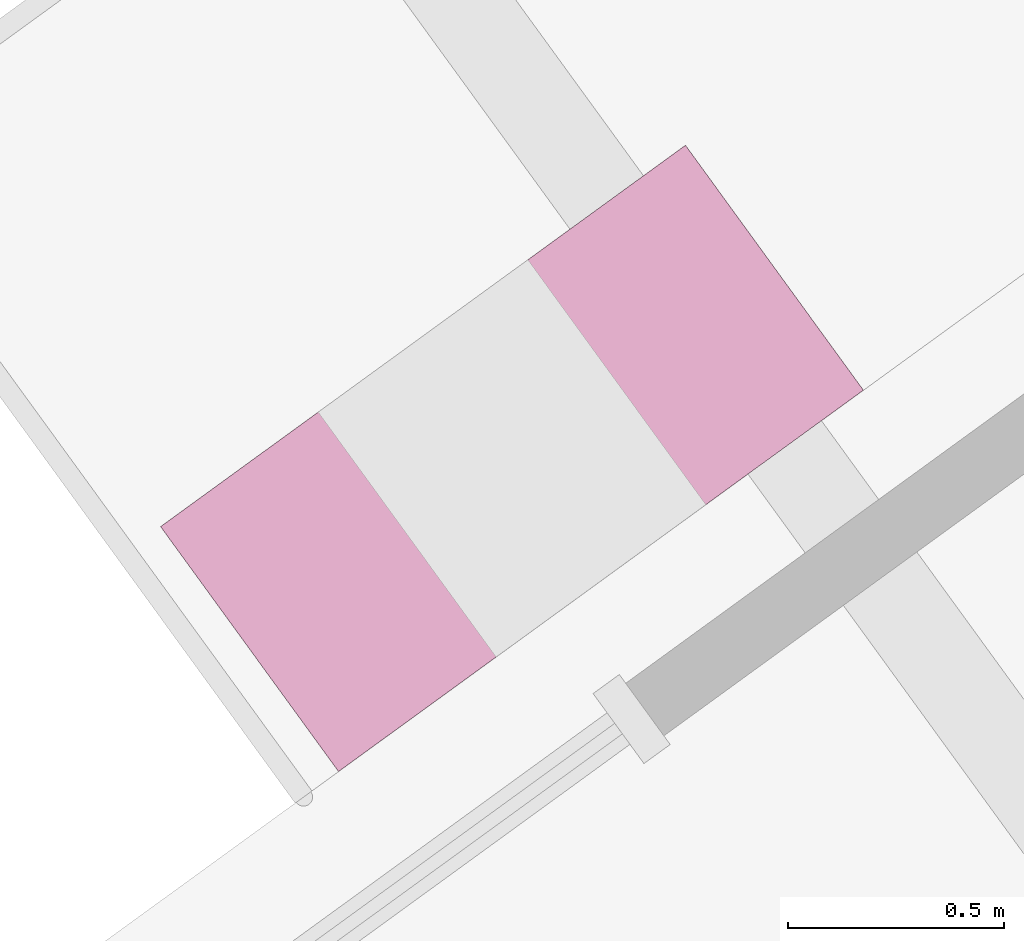
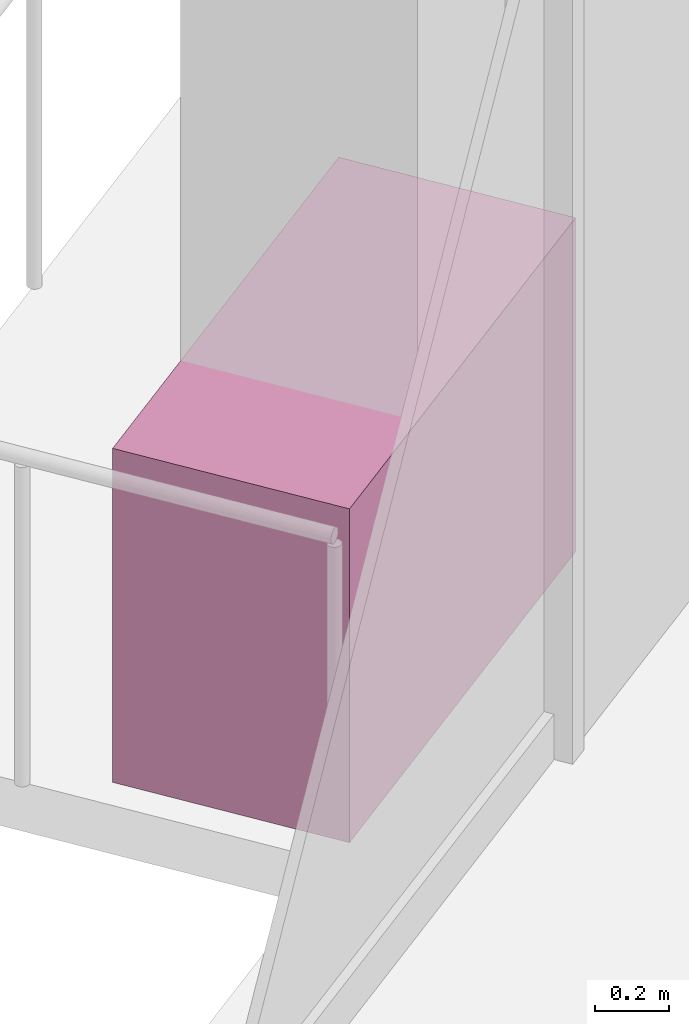
# One storey, part 20 of 21: 1 furniture element.
"""IFC4 building model written with IfcOpenShell, lengths in metres."""

import ifcopenshell
import ifcopenshell.guid

model = None  # the IFC model being written
_history = None  # IfcOwnerHistory: only IFC2X3 demands one
_inside = {}  # id of a spatial element -> (the spatial element, [elements in it])
_under = {}  # id of a project, library or spatial element -> (it, [spatial elements below it])
_declared = {}  # id of a project -> (the project, [libraries it declares])
_typed = {}  # id of a type object -> (the type object, [elements of that type])
_made_of = {}  # id of a material, layer set ... -> (it, [elements and type objects made of it])


def new_model(schema):
    """Start an empty IFC model of exactly this schema.

    Asked for "IFC4X3", IfcOpenShell would pick the latest addendum, in which some entities
    have other attributes; the version numbers below select the first issue.
    IFC2X3 requires an IfcOwnerHistory on every rooted entity: one is made here for all.
    """
    global model, _history
    if schema == "IFC4X3":
        model = ifcopenshell.file(schema_version=(4, 3, 0, 0))
    else:
        model = ifcopenshell.file(schema=schema)
    _inside.clear()
    _under.clear()
    _declared.clear()
    _typed.clear()
    _made_of.clear()
    _history = None
    if model.schema == "IFC2X3":
        org = make("IfcOrganization", Name="unknown")
        user = make(
            "IfcPersonAndOrganization",
            ThePerson=make("IfcPerson", FamilyName="unknown"),
            TheOrganization=org,
        )
        app = make(
            "IfcApplication",
            ApplicationDeveloper=org,
            Version="unknown",
            ApplicationFullName="unknown",
            ApplicationIdentifier="unknown",
        )
        _history = make(
            "IfcOwnerHistory",
            OwningUser=user,
            OwningApplication=app,
            ChangeAction="ADDED",
            CreationDate=0,
        )
    return model


def make(cls, **values):
    """One entity of the class cls with the attributes given. An attribute that is None is left unset."""
    return model.create_entity(
        cls, **{name: value for name, value in values.items() if value is not None}
    )


def rooted(cls, **values):
    """An entity with a GlobalId (a new one), such as an element, a storey or a relation."""
    return make(cls, GlobalId=ifcopenshell.guid.new(), OwnerHistory=_history, **values)


def si_unit(unit_type, name, prefix=None):
    """IfcSIUnit, for example si_unit("LENGTHUNIT", "METRE", prefix="MILLI")."""
    return make("IfcSIUnit", UnitType=unit_type, Prefix=prefix, Name=name)


def assignment(units):
    """IfcUnitAssignment: the units of a project."""
    return None if units is None else make("IfcUnitAssignment", Units=units)


def point(xyz):
    """IfcCartesianPoint."""
    return None if xyz is None else make("IfcCartesianPoint", Coordinates=xyz)


def direction(xyz):
    """IfcDirection."""
    return None if xyz is None else make("IfcDirection", DirectionRatios=xyz)


def frame(location, z_axis=None, x_axis=None):
    """IfcAxis2Placement3D, a coordinate frame: its origin and axes. An axis left out is left unset."""
    return make(
        "IfcAxis2Placement3D",
        Location=point(location),
        Axis=direction(z_axis),
        RefDirection=direction(x_axis),
    )


def frame_2d(location, x_axis=None):
    """IfcAxis2Placement2D, a coordinate frame in the plane: its origin and x axis."""
    return make(
        "IfcAxis2Placement2D", Location=point(location), RefDirection=direction(x_axis)
    )


def origin():
    """The frame at (0, 0, 0) with its axes left unset."""
    return frame((0.0, 0.0, 0.0))


def origin_2d():
    """The frame at (0, 0) in the plane with its x axis left unset."""
    return frame_2d((0.0, 0.0))


def place(relative_to, where):
    """IfcLocalPlacement: puts the frame where relative to a parent placement (None: the world)."""
    return make(
        "IfcLocalPlacement", PlacementRelTo=relative_to, RelativePlacement=where
    )


def context(
    kind, dimensions, precision=None, world=None, true_north=None, identifier=None
):
    """IfcGeometricRepresentationContext, for example the 3D "Model" context."""
    return make(
        "IfcGeometricRepresentationContext",
        ContextIdentifier=identifier,
        ContextType=kind,
        CoordinateSpaceDimension=dimensions,
        Precision=precision,
        WorldCoordinateSystem=world,
        TrueNorth=true_north,
    )


def subcontext(parent, identifier, kind, view, scale=None):
    """IfcGeometricRepresentationSubContext, for example "Body" below "Model"."""
    return make(
        "IfcGeometricRepresentationSubContext",
        ContextIdentifier=identifier,
        ContextType=kind,
        ParentContext=parent,
        TargetScale=scale,
        TargetView=view,
    )


def project(units=None, contexts=None):
    """IfcProject with its units and contexts."""
    return rooted(
        "IfcProject",
        Name="project",
        RepresentationContexts=contexts,
        UnitsInContext=assignment(units),
    )


def spatial(cls, under=None, at=None, **own):
    """A site, building, storey or space (cls), placed at a placement, below another one or the project."""
    s = rooted(cls, ObjectPlacement=at, **own)
    if under is not None:
        _under.setdefault(under.id(), (under, []))[1].append(s)
    return s


def profile(cls, at=None, kind="AREA", **sizes):
    """A parametric profile (cls). Its sizes go by their IFC names, for example OverallWidth=200.0."""
    return make(cls, ProfileType=kind, Position=at, **sizes)


def rectangle(**sizes):
    """IfcRectangleProfileDef."""
    return profile("IfcRectangleProfileDef", **sizes)


def extrude(swept, where, along, depth):
    """IfcExtrudedAreaSolid: the profile swept, set in the frame where, extruded along a direction by depth."""
    return make(
        "IfcExtrudedAreaSolid",
        SweptArea=swept,
        Position=where,
        ExtrudedDirection=direction(along),
        Depth=depth,
    )


def shape(context_of_items, identifier, shape_type, items):
    """IfcShapeRepresentation: the items that make up one representation, for example the "Body"."""
    return make(
        "IfcShapeRepresentation",
        ContextOfItems=context_of_items,
        RepresentationIdentifier=identifier,
        RepresentationType=shape_type,
        Items=items,
    )


def source(mapping_origin, context_of_items, identifier, shape_type, items):
    """IfcRepresentationMap: a shape defined once, which mapped items show again and again."""
    return make(
        "IfcRepresentationMap",
        MappingOrigin=mapping_origin,
        MappedRepresentation=shape(context_of_items, identifier, shape_type, items),
    )


def transform(
    local_origin,
    x_axis=None,
    y_axis=None,
    z_axis=None,
    scale=None,
    scale2=None,
    scale3=None,
    uniform=True,
):
    """IfcCartesianTransformationOperator3D, or its non-uniform kind. x_axis, y_axis, z_axis: its Axis1, 2, 3."""
    if uniform:
        return make(
            "IfcCartesianTransformationOperator3D",
            Axis1=direction(x_axis),
            Axis2=direction(y_axis),
            LocalOrigin=point(local_origin),
            Scale=scale,
            Axis3=direction(z_axis),
        )
    return make(
        "IfcCartesianTransformationOperator3DnonUniform",
        Axis1=direction(x_axis),
        Axis2=direction(y_axis),
        LocalOrigin=point(local_origin),
        Scale=scale,
        Axis3=direction(z_axis),
        Scale2=scale2,
        Scale3=scale3,
    )


def mapped(mapping_source, mapping_target):
    """IfcMappedItem: shows the shape of a source again, moved by a transform."""
    return make(
        "IfcMappedItem", MappingSource=mapping_source, MappingTarget=mapping_target
    )


def material(Name=None, Category=None):
    """IfcMaterial."""
    return make("IfcMaterial", Name=Name, Category=Category)


def made_of(thing, what):
    """Note that an element or type object is made of a material, layer set ...; save() writes the relation."""
    if what is not None:
        _made_of.setdefault(what.id(), (what, []))[1].append(thing)
    return thing


def type_object(cls, material=None, **own):
    """A type object (cls), such as IfcWallType, which elements share."""
    return made_of(rooted(cls, **own), material)


def element(
    cls,
    number,
    at=None,
    inside=None,
    cuts=None,
    type_object=None,
    material=None,
    context=None,
    identifier="Body",
    shape_type=None,
    held_by="IfcProductDefinitionShape",
    body=None,
    shapes=None,
    **own,
):
    """One element of the class cls, such as IfcWall. Its Tag is "e" and its number.

    at: its placement. inside: the storey or other place that contains it. cuts: it is an
    opening in that element (IfcRelVoidsElement). A single representation is given by context,
    identifier, shape_type and body (its items); several are given by shapes. held_by: the class
    of the entity that holds the representations. save() writes the other relations.
    """
    e = rooted(cls, Tag="e%d" % number, ObjectPlacement=at, **own)
    if body is not None:
        shapes = [shape(context, identifier, shape_type, body)]
    if shapes is not None:
        e.Representation = make(held_by, Representations=shapes)
    if inside is not None:
        _inside.setdefault(inside.id(), (inside, []))[1].append(e)
    if cuts is not None:
        rooted(
            "IfcRelVoidsElement", RelatingBuildingElement=cuts, RelatedOpeningElement=e
        )
    if type_object is not None:
        _typed.setdefault(type_object.id(), (type_object, []))[1].append(e)
    return made_of(e, material)


def aggregate(whole, parts):
    """IfcRelAggregates: a whole, such as a stair, and the parts it consists of."""
    return rooted("IfcRelAggregates", RelatingObject=whole, RelatedObjects=parts)


def save(model, path):
    """Write the relations noted so far, then the file.

    IfcRelAggregates (storeys below a building ...), IfcRelContainedInSpatialStructure (elements
    in a storey), IfcRelDefinesByType, IfcRelAssociatesMaterial and IfcRelDeclares: one each for
    every whole, place, type object, material and project.
    """
    for whole, parts in _under.values():
        aggregate(whole, parts)
    for where, things in _inside.values():
        rooted(
            "IfcRelContainedInSpatialStructure",
            RelatedElements=things,
            RelatingStructure=where,
        )
    for kind, things in _typed.values():
        rooted("IfcRelDefinesByType", RelatedObjects=things, RelatingType=kind)
    for what, things in _made_of.values():
        rooted("IfcRelAssociatesMaterial", RelatedObjects=things, RelatingMaterial=what)
    for by, libraries in _declared.values():
        rooted("IfcRelDeclares", RelatingContext=by, RelatedDefinitions=libraries)
    model.write(path)


model = new_model("IFC4")

# Units and contexts
model_context = context("Model", 3, precision=1e-05, world=origin(), true_north=direction((0.0, 1.0)))
body_context = subcontext(model_context, "Body", "Model", "MODEL_VIEW")
ifc_project = project(units=[si_unit("LENGTHUNIT", "METRE"), si_unit("AREAUNIT", "SQUARE_METRE"), si_unit("VOLUMEUNIT", "CUBIC_METRE"), si_unit("PLANEANGLEUNIT", "RADIAN"), si_unit("MASSUNIT", "GRAM", prefix="KILO")], contexts=[model_context])

# Site, building, storey
site_placement = place(None, origin())
site = spatial("IfcSite", under=ifc_project, at=site_placement, CompositionType="ELEMENT")
building_placement = place(site_placement, origin())
building = spatial("IfcBuilding", under=site, at=building_placement, Name="Triune Harvest Tower", CompositionType="ELEMENT")
storey_placement = place(building_placement, frame((0.0, 0.0, 80.10009765625)))
storey = spatial("IfcBuildingStorey", under=building, at=storey_placement, Name="L19", CompositionType="ELEMENT", Elevation=80.10009765625)

# Furniture
ifc_material = material(Name="Concrete 40 MPa", Category="concrete")
furniture_type = type_object("IfcFurnitureType", Name="PB-1 structural planter", AssemblyPlace="SITE", PredefinedType="USERDEFINED", material=ifc_material)
shared_shape = source(origin(), body_context, "Body", "SweptSolid", [
    extrude(rectangle(XDim=1.5, YDim=0.699951171875, at=origin_2d()), origin(), (0.0, 0.0, 1.0), 1.10009765625),
])
furniture_placement = place(storey_placement, frame((-28.1640625, 8.397216796875, -0.000244140625), z_axis=(0.0, 0.0, 1.0), x_axis=(-0.809017013446, -0.587785226043, 0.0)))
element("IfcFurniture", 1, at=furniture_placement, inside=storey, type_object=furniture_type, Name="Planter B2-F3 L19.10b", ObjectType="PLANTER", PredefinedType="USERDEFINED", context=body_context, shape_type="MappedRepresentation", body=[
    mapped(shared_shape, transform((0.0, 0.0, 0.0), scale=1.0)),
])

save(model, "model.ifc")
